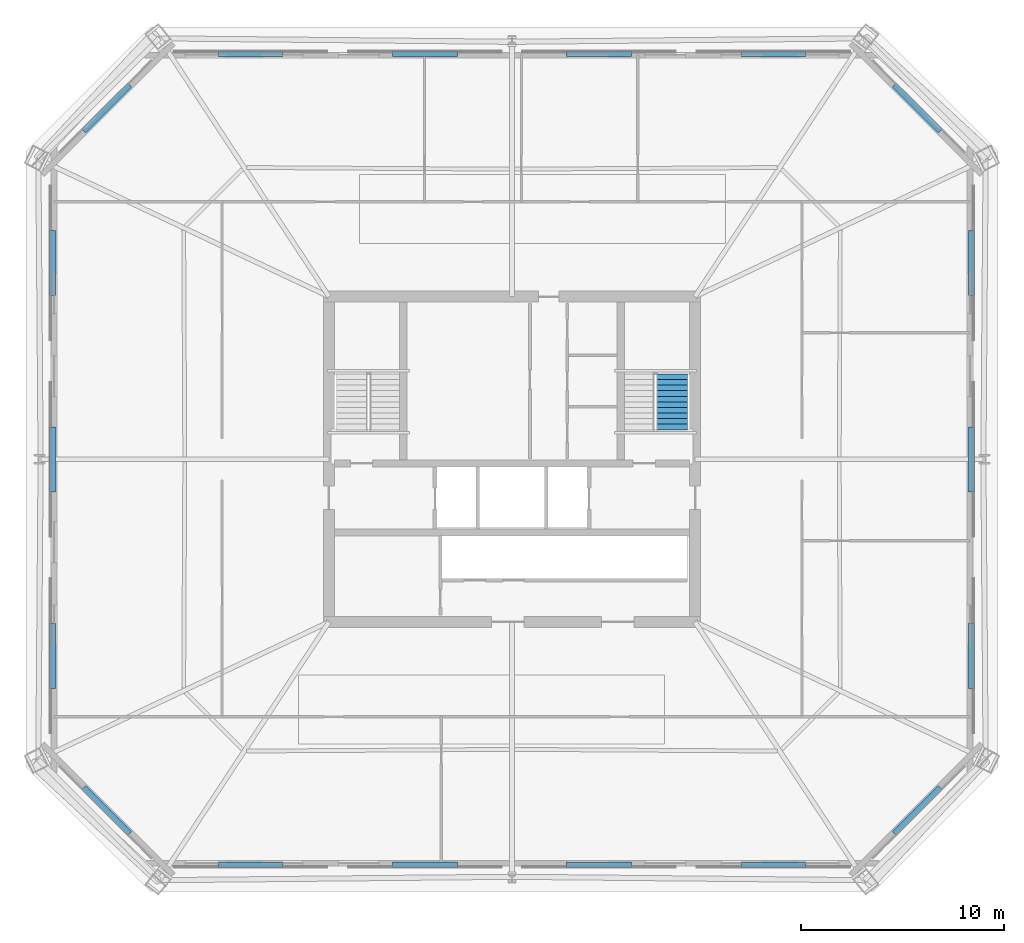
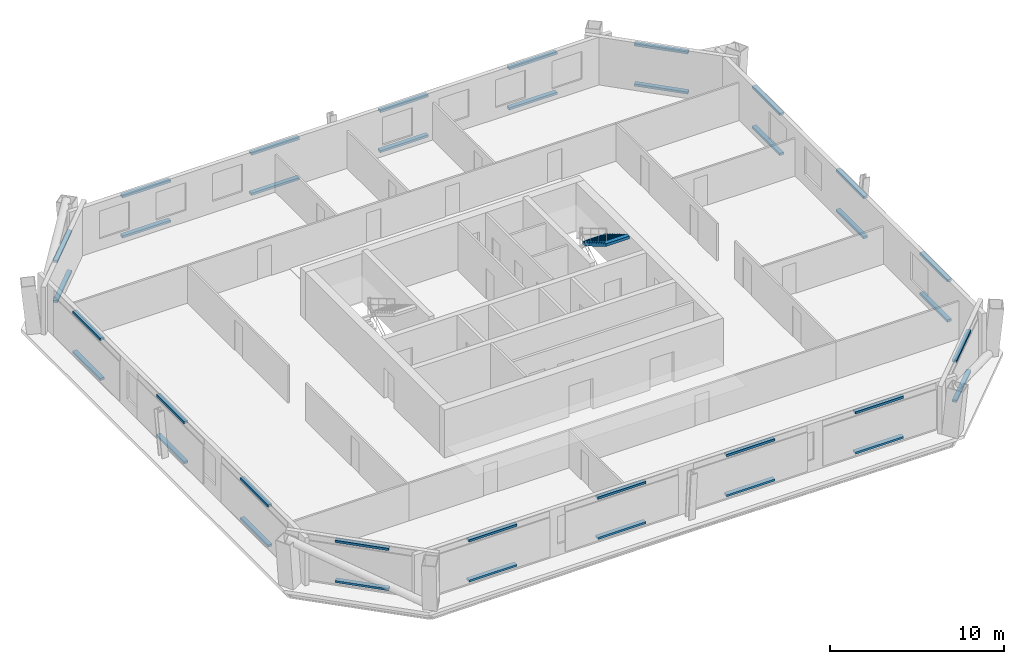
# One storey, part 5 of 7: 36 discrete accessories, 1 stair flight, 1 element without a shape of its own.
"""IFC4 building model written with IfcOpenShell, lengths in metres."""

from ifc_helpers import new_model, si_unit, direction, frame, origin, origin_2d, place, context, subcontext, project, spatial, polyline, rectangle, outline, extrude, material, type_object, element, aggregate, save


model = new_model("IFC4")

# Units and contexts
model_context = context("Model", 3, precision=1e-05, world=origin(), true_north=direction((0.0, 1.0)))
body_context = subcontext(model_context, "Body", "Model", "MODEL_VIEW")
ifc_project = project(units=[si_unit("LENGTHUNIT", "METRE"), si_unit("AREAUNIT", "SQUARE_METRE"), si_unit("VOLUMEUNIT", "CUBIC_METRE"), si_unit("PLANEANGLEUNIT", "RADIAN"), si_unit("MASSUNIT", "GRAM", prefix="KILO")], contexts=[model_context])

# Site, building, storey
site_placement = place(None, origin())
site = spatial("IfcSite", under=ifc_project, at=site_placement, CompositionType="ELEMENT")
building_placement = place(site_placement, origin())
building = spatial("IfcBuilding", under=site, at=building_placement, Name="Caelvoria Tower", CompositionType="ELEMENT")
storey_placement = place(building_placement, frame((0.0, 0.0, 134.800048828125)))
storey = spatial("IfcBuildingStorey", under=building, at=storey_placement, Name="L35", CompositionType="ELEMENT", Elevation=134.800048828125)

# Stair, stair flight
ifc_material_1 = material(Name="Concrete C40/50", Category="concrete")
stair_type = type_object("IfcStairType", Name="Core Smokeproof Dogleg Stair Concrete C40/50", PredefinedType="HALF_TURN_STAIR", material=ifc_material_1)
stair_placement = place(storey_placement, origin())
stair = element("IfcStair", 1, at=stair_placement, inside=storey, type_object=stair_type, Name="ST-02 Smokeproof Exit Stair L35", PredefinedType="HALF_TURN_STAIR")
ifc_material_2 = material(Name="Precast Concrete C40/50", Category="concrete")
stair_flight_type = type_object("IfcStairFlightType", Name="Precast Concrete C40/50 Stair Flight 1480", PredefinedType="STRAIGHT", material=ifc_material_2)
stair_flight_placement = place(storey_placement, frame((53.8701171875, 36.199951171875, 1.800048828125), z_axis=(0.0, 0.0, 1.0), x_axis=(0.0, -1.0, 0.0)))
stair_flight = element("IfcStairFlight", 2, at=stair_flight_placement, type_object=stair_flight_type, Name="ST-02 flight 2", NumberOfRisers=11, NumberOfTreads=10, PredefinedType="STRAIGHT", RiserHeight=0.1636, TreadLength=0.275, context=body_context, shape_type="SweptSolid", body=[
    extrude(outline(polyline([(0.0, 0.0), (0.0, 0.16357421875), (0.27490234375, 0.16357421875), (0.27490234375, 0.3271484375), (0.550048828125, 0.3271484375), (0.550048828125, 0.49072265625), (0.824951171875, 0.49072265625), (0.824951171875, 0.654296875), (1.10009765625, 0.654296875), (1.10009765625, 0.818115234375), (1.375, 0.818115234375), (1.375, 0.981689453125), (1.64990234375, 0.981689453125), (1.64990234375, 1.145263671875), (1.925048828125, 1.145263671875), (1.925048828125, 1.308837890625), (2.199951171875, 1.308837890625), (2.199951171875, 1.472412109375), (2.47509765625, 1.472412109375), (2.47509765625, 1.635986328125), (2.75, 1.635986328125), (2.75, 1.799560546875), (2.75, 1.449951171875), (0.312744140625, 0.0), (0.0, 0.0)])), frame((0.0, 0.77001953125, 0.0), z_axis=(0.0, -1.0, 0.0), x_axis=(1.0, 0.0, 0.0)), (0.0, 0.0, 1.0), 1.5400390625),
])
aggregate(stair, [stair_flight])

# Discrete accessories
ifc_material_3 = material(Name="Anodised Bronze Stainless Bracket", Category="bronze")
discrete_accessory_type = type_object("IfcDiscreteAccessoryType", Name="Solar Screen Outrigger Support Bracket", PredefinedType="BRACKET", material=ifc_material_3)
for number, where, z_axis, x_axis, name in (
    (3, (33.14501953125, 12.052978515625, 0.240234375), (0.0, 0.0, 1.0), (1.0, 0.0, 0.0), "Solar Screen Bracket L35-E0-00"),
    (4, (33.14501953125, 12.052978515625, 3.06005859375), (0.0, 0.0, 1.0), (1.0, 0.0, 0.0), "Upper Screen Band Bracket L35-E0-00"),
    (5, (41.715087890625, 12.052978515625, 0.240234375), (0.0, 0.0, 1.0), (1.0, 0.0, 0.0), "Solar Screen Bracket L35-E0-01"),
    (6, (41.715087890625, 12.052978515625, 3.06005859375), (0.0, 0.0, 1.0), (1.0, 0.0, 0.0), "Upper Screen Band Bracket L35-E0-01"),
    (7, (50.284912109375, 12.052978515625, 0.240234375), (0.0, 0.0, 1.0), (1.0, 0.0, 0.0), "Solar Screen Bracket L35-E0-02"),
    (8, (50.284912109375, 12.052978515625, 3.06005859375), (0.0, 0.0, 1.0), (1.0, 0.0, 0.0), "Upper Screen Band Bracket L35-E0-02"),
    (9, (58.85498046875, 12.052978515625, 0.240234375), (0.0, 0.0, 1.0), (1.0, 0.0, 0.0), "Solar Screen Bracket L35-E0-03"),
    (10, (58.85498046875, 12.052978515625, 3.06005859375), (0.0, 0.0, 1.0), (1.0, 0.0, 0.0), "Upper Screen Band Bracket L35-E0-03"),
    (11, (65.9287109375, 14.721435546875, 0.240234375), (0.0, 0.0, 1.0), (0.707106781187, 0.707106781187, 0.0), "Solar Screen Bracket L35-E1-00"),
    (12, (65.9287109375, 14.721435546875, 3.06005859375), (0.0, 0.0, 1.0), (0.707106781187, 0.707106781187, 0.0), "Upper Screen Band Bracket L35-E1-00"),
    (13, (68.596923828125, 22.340087890625, 0.240234375), (0.0, 0.0, 1.0), (0.0, 1.0, 0.0), "Solar Screen Bracket L35-E2-00"),
    (14, (68.596923828125, 22.340087890625, 3.06005859375), (0.0, 0.0, 1.0), (0.0, 1.0, 0.0), "Upper Screen Band Bracket L35-E2-00"),
    (15, (68.596923828125, 32.0, 0.240234375), (0.0, 0.0, 1.0), (0.0, 1.0, 0.0), "Solar Screen Bracket L35-E2-01"),
    (16, (68.596923828125, 32.0, 3.06005859375), (0.0, 0.0, 1.0), (0.0, 1.0, 0.0), "Upper Screen Band Bracket L35-E2-01"),
    (17, (68.596923828125, 41.659912109375, 0.240234375), (0.0, 0.0, 1.0), (0.0, 1.0, 0.0), "Solar Screen Bracket L35-E2-02"),
    (18, (68.596923828125, 41.659912109375, 3.06005859375), (0.0, 0.0, 1.0), (0.0, 1.0, 0.0), "Upper Screen Band Bracket L35-E2-02"),
    (19, (65.9287109375, 49.278564453125, 0.240234375), (0.0, 0.0, 1.0), (-0.707106781187, 0.707106781187, 0.0), "Solar Screen Bracket L35-E3-00"),
    (20, (65.9287109375, 49.278564453125, 3.06005859375), (0.0, 0.0, 1.0), (-0.707106781187, 0.707106781187, 0.0), "Upper Screen Band Bracket L35-E3-00"),
    (21, (58.85498046875, 51.947021484375, 0.240234375), (0.0, 0.0, 1.0), (-1.0, 0.0, 0.0), "Solar Screen Bracket L35-E4-00"),
    (22, (58.85498046875, 51.947021484375, 3.06005859375), (0.0, 0.0, 1.0), (-1.0, 0.0, 0.0), "Upper Screen Band Bracket L35-E4-00"),
    (23, (50.284912109375, 51.947021484375, 0.240234375), (0.0, 0.0, 1.0), (-1.0, 0.0, 0.0), "Solar Screen Bracket L35-E4-01"),
    (24, (50.284912109375, 51.947021484375, 3.06005859375), (0.0, 0.0, 1.0), (-1.0, 0.0, 0.0), "Upper Screen Band Bracket L35-E4-01"),
    (25, (41.715087890625, 51.947021484375, 0.240234375), (0.0, 0.0, 1.0), (-1.0, 0.0, 0.0), "Solar Screen Bracket L35-E4-02"),
    (26, (41.715087890625, 51.947021484375, 3.06005859375), (0.0, 0.0, 1.0), (-1.0, 0.0, 0.0), "Upper Screen Band Bracket L35-E4-02"),
    (27, (33.14501953125, 51.947021484375, 0.240234375), (0.0, 0.0, 1.0), (-1.0, 0.0, 0.0), "Solar Screen Bracket L35-E4-03"),
    (28, (33.14501953125, 51.947021484375, 3.06005859375), (0.0, 0.0, 1.0), (-1.0, 0.0, 0.0), "Upper Screen Band Bracket L35-E4-03"),
    (29, (26.0712890625, 49.278564453125, 0.240234375), (0.0, 0.0, 1.0), (-0.707106781187, -0.707106781187, 0.0), "Solar Screen Bracket L35-E5-00"),
    (30, (26.0712890625, 49.278564453125, 3.06005859375), (0.0, 0.0, 1.0), (-0.707106781187, -0.707106781187, 0.0), "Upper Screen Band Bracket L35-E5-00"),
    (31, (23.403076171875, 41.659912109375, 0.240234375), (0.0, 0.0, 1.0), (0.0, -1.0, 0.0), "Solar Screen Bracket L35-E6-00"),
    (32, (23.403076171875, 41.659912109375, 3.06005859375), (0.0, 0.0, 1.0), (0.0, -1.0, 0.0), "Upper Screen Band Bracket L35-E6-00"),
    (33, (23.403076171875, 32.0, 0.240234375), (0.0, 0.0, 1.0), (0.0, -1.0, 0.0), "Solar Screen Bracket L35-E6-01"),
    (34, (23.403076171875, 32.0, 3.06005859375), (0.0, 0.0, 1.0), (0.0, -1.0, 0.0), "Upper Screen Band Bracket L35-E6-01"),
    (35, (23.403076171875, 22.340087890625, 0.240234375), (0.0, 0.0, 1.0), (0.0, -1.0, 0.0), "Solar Screen Bracket L35-E6-02"),
    (36, (23.403076171875, 22.340087890625, 3.06005859375), (0.0, 0.0, 1.0), (0.0, -1.0, 0.0), "Upper Screen Band Bracket L35-E6-02"),
    (37, (26.0712890625, 14.721435546875, 0.240234375), (0.0, 0.0, 1.0), (0.707106781187, -0.707106781187, 0.0), "Solar Screen Bracket L35-E7-00"),
    (38, (26.0712890625, 14.721435546875, 3.06005859375), (0.0, 0.0, 1.0), (0.707106781187, -0.707106781187, 0.0), "Upper Screen Band Bracket L35-E7-00"),
):
    element("IfcDiscreteAccessory", number, at=place(storey_placement, frame(where, z_axis=z_axis, x_axis=x_axis)), inside=storey, type_object=discrete_accessory_type, Name=name, PredefinedType="BRACKET", context=body_context, shape_type="SweptSolid", body=[
        extrude(rectangle(XDim=3.199951171875, YDim=0.280029296875, at=origin_2d()), origin(), (0.0, 0.0, 1.0), 0.159912109375),
    ])

save(model, "model.ifc")
